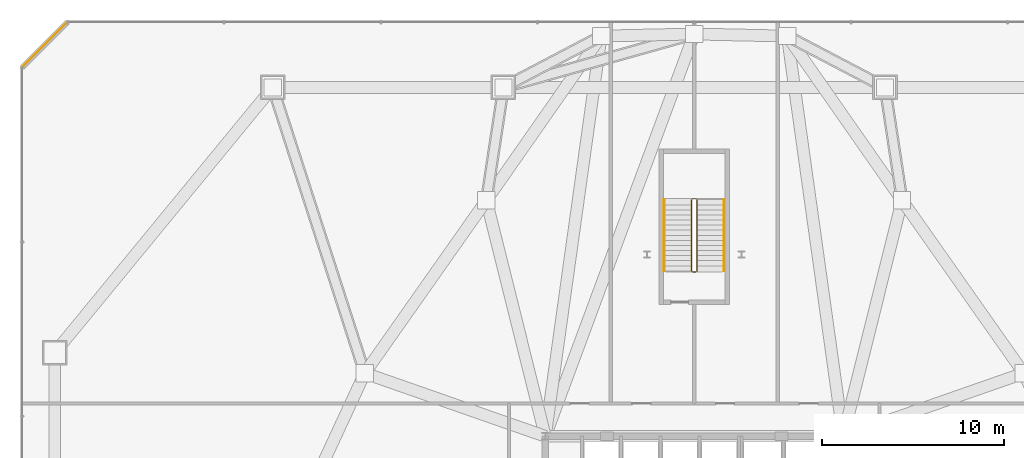
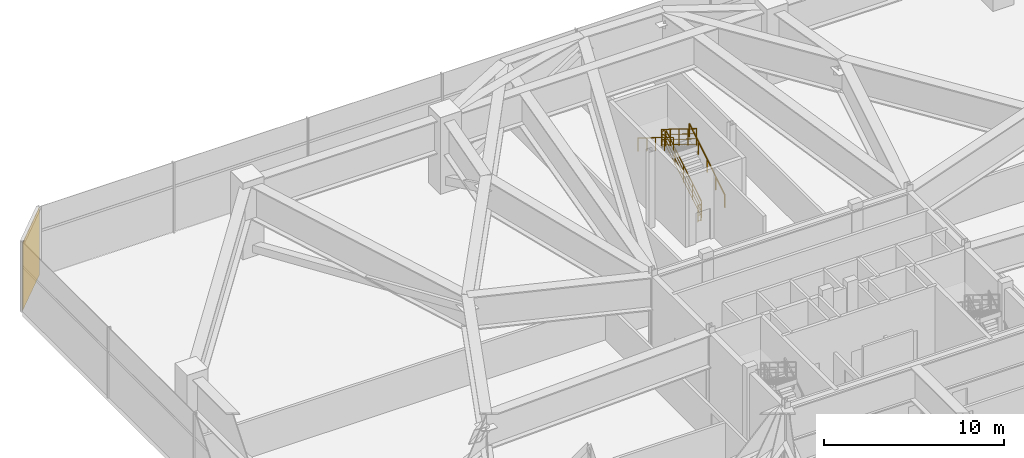
# One storey, part 28 of 29: 6 railings, 1 covering.
"""IFC4 building model written with IfcOpenShell, lengths in metres."""

from ifc_helpers import new_model, si_unit, direction, frame, frame_2d, origin, origin_2d, place, context, subcontext, project, spatial, rectangle, extrude, material, layer, layer_set, type_object, element, save


model = new_model("IFC4")

# Units and contexts
model_context = context("Model", 3, precision=1e-05, world=origin(), true_north=direction((0.0, 1.0)))
body_context = subcontext(model_context, "Body", "Model", "MODEL_VIEW")
ifc_project = project(units=[si_unit("LENGTHUNIT", "METRE"), si_unit("AREAUNIT", "SQUARE_METRE"), si_unit("VOLUMEUNIT", "CUBIC_METRE"), si_unit("PLANEANGLEUNIT", "RADIAN"), si_unit("MASSUNIT", "GRAM", prefix="KILO")], contexts=[model_context])

# Site, building, storey
site_placement = place(None, origin())
site = spatial("IfcSite", under=ifc_project, at=site_placement, CompositionType="ELEMENT")
building_placement = place(site_placement, origin())
building = spatial("IfcBuilding", under=site, at=building_placement, Name="Varakhsha Concourse Tower", CompositionType="ELEMENT")
storey_placement = place(building_placement, frame((0.0, 0.0, 22.0)))
storey = spatial("IfcBuildingStorey", under=building, at=storey_placement, Name="L05", CompositionType="ELEMENT", Elevation=22.0)

# Covering
ifc_material_1 = material(Name="Samarkand Glazed Terracotta Rainscreen Tile 32 mm", Category="masonry")
ifc_layer = layer(ifc_material_1, 0.031982421875, Name="COV-RAINSCREEN-32")
ifc_layer_set = layer_set([ifc_layer], Name="Samarkand Glazed Terracotta Rainscreen Tile 32 mm")
covering_type = type_object("IfcCoveringType", Name="COV-RAINSCREEN-32", PredefinedType="CLADDING", material=ifc_layer_set)
covering_placement = place(storey_placement, frame((5.5, 54.0, 0.10009765625), z_axis=(0.0, 0.0, 1.0), x_axis=(-0.707106781187, -0.707106781187, 0.0)))
element("IfcCovering", 1, at=covering_placement, inside=storey, type_object=covering_type, Name="L05 Terracotta Rainscreen Cladding 5", PredefinedType="CLADDING", context=body_context, shape_type="SweptSolid", body=[
    extrude(rectangle(XDim=3.53564453125, YDim=0.031982421875, at=frame_2d((1.767822265625, 0.0))), origin(), (0.0, 0.0, 1.0), 4.579833984375),
])

# Railings
ifc_material_2 = material(Name="Brushed Austenitic Stainless Steel AISI 316", Category="steel")
railing_type_1 = type_object("IfcRailingType", Name="RL-STAIR-GUARD-1100", PredefinedType="GUARDRAIL", material=ifc_material_2)
railing_1_placement = place(storey_placement, frame((40.14990234375, 40.300048828125, 0.17333984375)))
element("IfcRailing", 2, at=railing_1_placement, inside=storey, type_object=railing_type_1, Name="L05 ST5 stair guard 1", PredefinedType="GUARDRAIL", context=body_context, shape_type="SweptSolid", body=[
    extrude(rectangle(XDim=0.048095703125, YDim=0.048095703125, at=origin_2d()), frame((0.0, 0.0, 1.1259765625), z_axis=(0.0, 0.850251603719, 0.526376491091), x_axis=(-1.0, 0.0, 0.0)), (0.0, 0.0, 1.0), 4.6103515625),
    extrude(rectangle(XDim=0.028076171875, YDim=0.028076171875, at=origin_2d()), frame((0.0, 0.0, 0.080078125), z_axis=(0.0, 0.850251603719, 0.526376491091), x_axis=(-1.0, 0.0, 0.0)), (0.0, 0.0, 1.0), 4.6103515625),
    extrude(rectangle(XDim=0.028076171875, YDim=0.028076171875, at=origin_2d()), frame((0.0, 0.0, 0.43701171875), z_axis=(0.0, 0.850251603719, 0.526376491091), x_axis=(-1.0, 0.0, 0.0)), (0.0, 0.0, 1.0), 4.6103515625),
    extrude(rectangle(XDim=0.028076171875, YDim=0.028076171875, at=origin_2d()), frame((0.0, 0.0, 0.781982421875), z_axis=(0.0, 0.850251603719, 0.526376491091), x_axis=(-1.0, 0.0, 0.0)), (0.0, 0.0, 1.0), 4.6103515625),
    extrude(rectangle(XDim=0.0419921875, YDim=0.0419921875, at=origin_2d()), origin(), (0.0, 0.0, 1.0), 1.101806640625),
    extrude(rectangle(XDim=0.0419921875, YDim=0.0419921875, at=origin_2d()), frame((0.0, 0.97998046875, 0.606689453125)), (0.0, 0.0, 1.0), 1.101806640625),
    extrude(rectangle(XDim=0.0419921875, YDim=0.0419921875, at=origin_2d()), frame((0.0, 1.9599609375, 1.21337890625)), (0.0, 0.0, 1.0), 1.101806640625),
    extrude(rectangle(XDim=0.0419921875, YDim=0.0419921875, at=origin_2d()), frame((0.0, 2.93994140625, 1.820068359375)), (0.0, 0.0, 1.0), 1.101806640625),
    extrude(rectangle(XDim=0.0419921875, YDim=0.0419921875, at=origin_2d()), frame((0.0, 3.919921875, 2.4267578125)), (0.0, 0.0, 1.0), 1.101806640625),
])
railing_2_placement = place(storey_placement, frame((40.10009765625, 44.27001953125, 2.60009765625)))
element("IfcRailing", 3, at=railing_2_placement, inside=storey, type_object=railing_type_1, Name="L05 ST5 stair guard 2", PredefinedType="GUARDRAIL", context=body_context, shape_type="SweptSolid", body=[
    extrude(rectangle(XDim=0.048095703125, YDim=0.048095703125, at=origin_2d()), frame((0.0, 0.0, 1.1259765625), z_axis=(-1.0, 0.0, 0.0), x_axis=(0.0, -1.0, 0.0)), (0.0, 0.0, 1.0), 0.2001953125),
    extrude(rectangle(XDim=0.028076171875, YDim=0.028076171875, at=origin_2d()), frame((0.0, 0.0, 0.080078125), z_axis=(-1.0, 0.0, 0.0), x_axis=(0.0, -1.0, 0.0)), (0.0, 0.0, 1.0), 0.2001953125),
    extrude(rectangle(XDim=0.028076171875, YDim=0.028076171875, at=origin_2d()), frame((0.0, 0.0, 0.43701171875), z_axis=(-1.0, 0.0, 0.0), x_axis=(0.0, -1.0, 0.0)), (0.0, 0.0, 1.0), 0.2001953125),
    extrude(rectangle(XDim=0.028076171875, YDim=0.028076171875, at=origin_2d()), frame((0.0, 0.0, 0.781982421875), z_axis=(-1.0, 0.0, 0.0), x_axis=(0.0, -1.0, 0.0)), (0.0, 0.0, 1.0), 0.2001953125),
    extrude(rectangle(XDim=0.0419921875, YDim=0.0419921875, at=origin_2d()), origin(), (0.0, 0.0, 1.0), 1.101806640625),
    extrude(rectangle(XDim=0.0419921875, YDim=0.0419921875, at=origin_2d()), frame((-0.2001953125, 0.0, 0.0)), (0.0, 0.0, 1.0), 1.101806640625),
])
railing_3_placement = place(storey_placement, frame((39.85009765625, 44.219970703125, 2.7734375)))
element("IfcRailing", 4, at=railing_3_placement, inside=storey, type_object=railing_type_1, Name="L05 ST5 stair guard 3", PredefinedType="GUARDRAIL", context=body_context, shape_type="SweptSolid", body=[
    extrude(rectangle(XDim=0.048095703125, YDim=0.048095703125, at=origin_2d()), frame((0.0, 0.0, 1.1259765625), z_axis=(0.0, -0.850275303828, 0.526338206574), x_axis=(1.0, 0.0, 0.0)), (0.0, 0.0, 1.0), 4.610107421875),
    extrude(rectangle(XDim=0.028076171875, YDim=0.028076171875, at=origin_2d()), frame((0.0, 0.0, 0.080078125), z_axis=(0.0, -0.850275303828, 0.526338206574), x_axis=(1.0, 0.0, 0.0)), (0.0, 0.0, 1.0), 4.610107421875),
    extrude(rectangle(XDim=0.028076171875, YDim=0.028076171875, at=origin_2d()), frame((0.0, 0.0, 0.43701171875), z_axis=(0.0, -0.850275303828, 0.526338206574), x_axis=(1.0, 0.0, 0.0)), (0.0, 0.0, 1.0), 4.610107421875),
    extrude(rectangle(XDim=0.028076171875, YDim=0.028076171875, at=origin_2d()), frame((0.0, 0.0, 0.781982421875), z_axis=(0.0, -0.850275303828, 0.526338206574), x_axis=(1.0, 0.0, 0.0)), (0.0, 0.0, 1.0), 4.610107421875),
    extrude(rectangle(XDim=0.0419921875, YDim=0.0419921875, at=origin_2d()), origin(), (0.0, 0.0, 1.0), 1.101806640625),
    extrude(rectangle(XDim=0.0419921875, YDim=0.0419921875, at=origin_2d()), frame((0.0, -0.97998046875, 0.606689453125)), (0.0, 0.0, 1.0), 1.101806640625),
    extrude(rectangle(XDim=0.0419921875, YDim=0.0419921875, at=origin_2d()), frame((0.0, -1.9599609375, 1.21337890625)), (0.0, 0.0, 1.0), 1.101806640625),
    extrude(rectangle(XDim=0.0419921875, YDim=0.0419921875, at=origin_2d()), frame((0.0, -2.93994140625, 1.81982421875)), (0.0, 0.0, 1.0), 1.101806640625),
    extrude(rectangle(XDim=0.0419921875, YDim=0.0419921875, at=origin_2d()), frame((0.0, -3.919921875, 2.426513671875)), (0.0, 0.0, 1.0), 1.101806640625),
])
railing_4_placement = place(storey_placement, frame((40.10009765625, 40.25, 0.0)))
element("IfcRailing", 5, at=railing_4_placement, inside=storey, type_object=railing_type_1, Name="L05 ST5 stair guard 4", PredefinedType="GUARDRAIL", context=body_context, shape_type="SweptSolid", body=[
    extrude(rectangle(XDim=0.048095703125, YDim=0.048095703125, at=origin_2d()), frame((0.0, 0.0, 1.1259765625), z_axis=(-1.0, 0.0, 0.0), x_axis=(0.0, -1.0, 0.0)), (0.0, 0.0, 1.0), 0.2001953125),
    extrude(rectangle(XDim=0.028076171875, YDim=0.028076171875, at=origin_2d()), frame((0.0, 0.0, 0.080078125), z_axis=(-1.0, 0.0, 0.0), x_axis=(0.0, -1.0, 0.0)), (0.0, 0.0, 1.0), 0.2001953125),
    extrude(rectangle(XDim=0.028076171875, YDim=0.028076171875, at=origin_2d()), frame((0.0, 0.0, 0.43701171875), z_axis=(-1.0, 0.0, 0.0), x_axis=(0.0, -1.0, 0.0)), (0.0, 0.0, 1.0), 0.2001953125),
    extrude(rectangle(XDim=0.028076171875, YDim=0.028076171875, at=origin_2d()), frame((0.0, 0.0, 0.781982421875), z_axis=(-1.0, 0.0, 0.0), x_axis=(0.0, -1.0, 0.0)), (0.0, 0.0, 1.0), 0.2001953125),
    extrude(rectangle(XDim=0.0419921875, YDim=0.0419921875, at=origin_2d()), origin(), (0.0, 0.0, 1.0), 1.101806640625),
    extrude(rectangle(XDim=0.0419921875, YDim=0.0419921875, at=origin_2d()), frame((-0.2001953125, 0.0, 0.0)), (0.0, 0.0, 1.0), 1.101806640625),
])
railing_type_2 = type_object("IfcRailingType", Name="RL-STAIR-RAIL-915", PredefinedType="HANDRAIL", material=ifc_material_2)
railing_5_placement = place(storey_placement, frame((41.64990234375, 40.300048828125, 0.3466796875)))
element("IfcRailing", 6, at=railing_5_placement, inside=storey, type_object=railing_type_2, Name="L05 ST5 stair handrail 1", PredefinedType="HANDRAIL", context=body_context, shape_type="SweptSolid", body=[
    extrude(rectangle(XDim=0.048095703125, YDim=0.048095703125, at=origin_2d()), frame((0.0, 0.0, 0.89111328125), z_axis=(0.0, 0.850251603719, 0.526376491091), x_axis=(-1.0, 0.0, 0.0)), (0.0, 0.0, 1.0), 4.6103515625),
    extrude(rectangle(XDim=0.0419921875, YDim=0.0419921875, at=origin_2d()), origin(), (0.0, 0.0, 1.0), 0.866943359375),
    extrude(rectangle(XDim=0.0419921875, YDim=0.0419921875, at=origin_2d()), frame((0.0, 0.97998046875, 0.606689453125)), (0.0, 0.0, 1.0), 0.866943359375),
    extrude(rectangle(XDim=0.0419921875, YDim=0.0419921875, at=origin_2d()), frame((0.0, 1.9599609375, 1.21337890625)), (0.0, 0.0, 1.0), 0.866943359375),
    extrude(rectangle(XDim=0.0419921875, YDim=0.0419921875, at=origin_2d()), frame((0.0, 2.93994140625, 1.820068359375)), (0.0, 0.0, 1.0), 0.866943359375),
    extrude(rectangle(XDim=0.0419921875, YDim=0.0419921875, at=origin_2d()), frame((0.0, 3.919921875, 2.4267578125)), (0.0, 0.0, 1.0), 0.866943359375),
])
railing_6_placement = place(storey_placement, frame((38.35009765625, 44.219970703125, 2.94677734375)))
element("IfcRailing", 7, at=railing_6_placement, inside=storey, type_object=railing_type_2, Name="L05 ST5 stair handrail 2", PredefinedType="HANDRAIL", context=body_context, shape_type="SweptSolid", body=[
    extrude(rectangle(XDim=0.048095703125, YDim=0.048095703125, at=origin_2d()), frame((0.0, 0.0, 0.89111328125), z_axis=(0.0, -0.850275303828, 0.526338206574), x_axis=(1.0, 0.0, 0.0)), (0.0, 0.0, 1.0), 4.610107421875),
    extrude(rectangle(XDim=0.0419921875, YDim=0.0419921875, at=origin_2d()), origin(), (0.0, 0.0, 1.0), 0.866943359375),
    extrude(rectangle(XDim=0.0419921875, YDim=0.0419921875, at=origin_2d()), frame((0.0, -0.97998046875, 0.606689453125)), (0.0, 0.0, 1.0), 0.866943359375),
    extrude(rectangle(XDim=0.0419921875, YDim=0.0419921875, at=origin_2d()), frame((0.0, -1.9599609375, 1.21337890625)), (0.0, 0.0, 1.0), 0.866943359375),
    extrude(rectangle(XDim=0.0419921875, YDim=0.0419921875, at=origin_2d()), frame((0.0, -2.93994140625, 1.81982421875)), (0.0, 0.0, 1.0), 0.866943359375),
    extrude(rectangle(XDim=0.0419921875, YDim=0.0419921875, at=origin_2d()), frame((0.0, -3.919921875, 2.426513671875)), (0.0, 0.0, 1.0), 0.866943359375),
])

save(model, "model.ifc")
